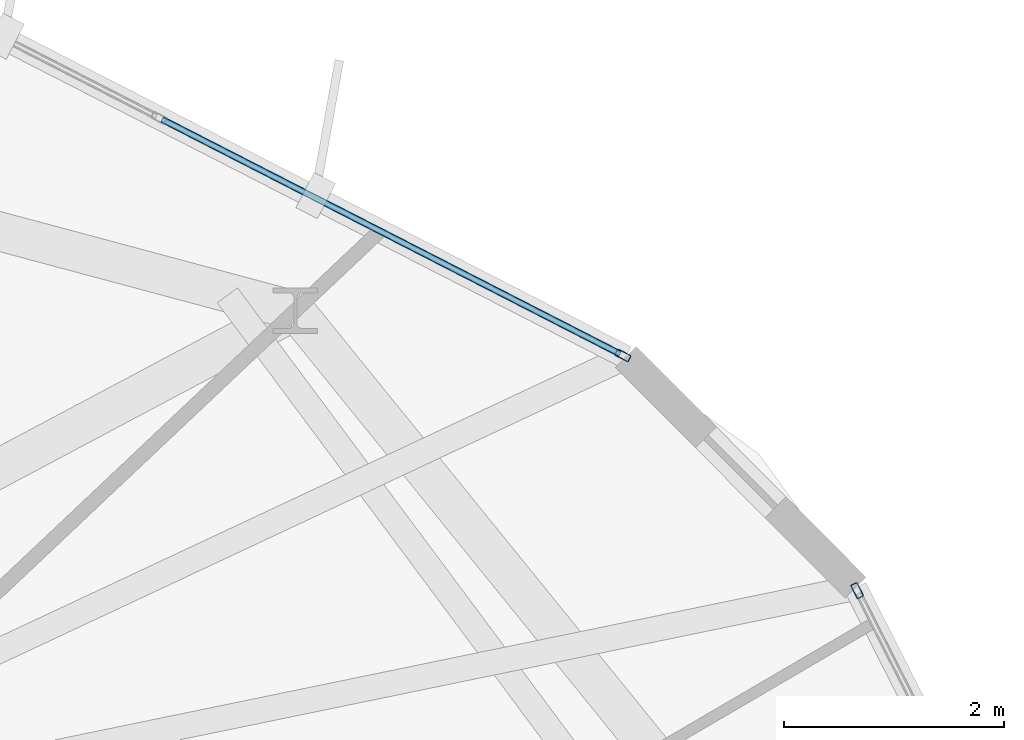
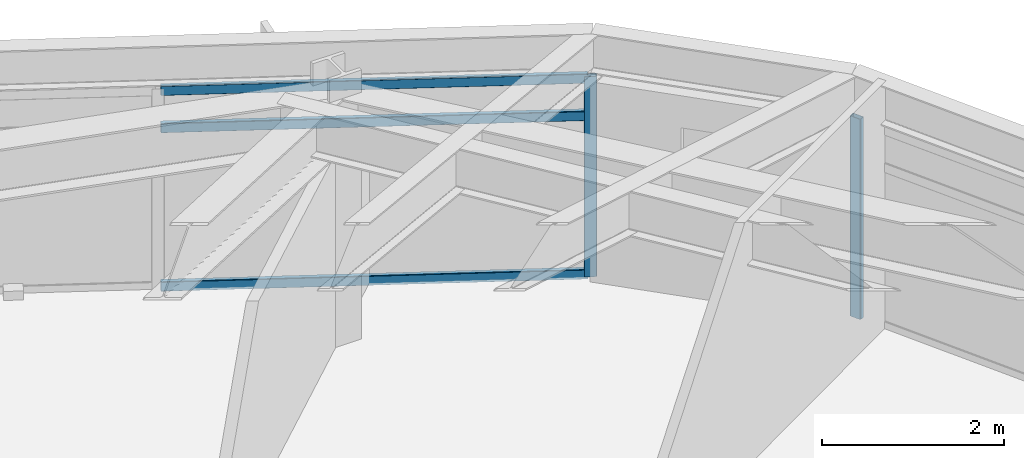
# One storey, part 19 of 27: 5 members, 2 elements without a shape of their own.
"""IFC4 building model written with IfcOpenShell, lengths in metres."""

import ifcopenshell
import ifcopenshell.guid

model = None  # the IFC model being written
_history = None  # IfcOwnerHistory: only IFC2X3 demands one
_inside = {}  # id of a spatial element -> (the spatial element, [elements in it])
_under = {}  # id of a project, library or spatial element -> (it, [spatial elements below it])
_declared = {}  # id of a project -> (the project, [libraries it declares])
_typed = {}  # id of a type object -> (the type object, [elements of that type])
_made_of = {}  # id of a material, layer set ... -> (it, [elements and type objects made of it])


def new_model(schema):
    """Start an empty IFC model of exactly this schema.

    Asked for "IFC4X3", IfcOpenShell would pick the latest addendum, in which some entities
    have other attributes; the version numbers below select the first issue.
    IFC2X3 requires an IfcOwnerHistory on every rooted entity: one is made here for all.
    """
    global model, _history
    if schema == "IFC4X3":
        model = ifcopenshell.file(schema_version=(4, 3, 0, 0))
    else:
        model = ifcopenshell.file(schema=schema)
    _inside.clear()
    _under.clear()
    _declared.clear()
    _typed.clear()
    _made_of.clear()
    _history = None
    if model.schema == "IFC2X3":
        org = make("IfcOrganization", Name="unknown")
        user = make(
            "IfcPersonAndOrganization",
            ThePerson=make("IfcPerson", FamilyName="unknown"),
            TheOrganization=org,
        )
        app = make(
            "IfcApplication",
            ApplicationDeveloper=org,
            Version="unknown",
            ApplicationFullName="unknown",
            ApplicationIdentifier="unknown",
        )
        _history = make(
            "IfcOwnerHistory",
            OwningUser=user,
            OwningApplication=app,
            ChangeAction="ADDED",
            CreationDate=0,
        )
    return model


def make(cls, **values):
    """One entity of the class cls with the attributes given. An attribute that is None is left unset."""
    return model.create_entity(
        cls, **{name: value for name, value in values.items() if value is not None}
    )


def rooted(cls, **values):
    """An entity with a GlobalId (a new one), such as an element, a storey or a relation."""
    return make(cls, GlobalId=ifcopenshell.guid.new(), OwnerHistory=_history, **values)


def si_unit(unit_type, name, prefix=None):
    """IfcSIUnit, for example si_unit("LENGTHUNIT", "METRE", prefix="MILLI")."""
    return make("IfcSIUnit", UnitType=unit_type, Prefix=prefix, Name=name)


def assignment(units):
    """IfcUnitAssignment: the units of a project."""
    return None if units is None else make("IfcUnitAssignment", Units=units)


def point(xyz):
    """IfcCartesianPoint."""
    return None if xyz is None else make("IfcCartesianPoint", Coordinates=xyz)


def direction(xyz):
    """IfcDirection."""
    return None if xyz is None else make("IfcDirection", DirectionRatios=xyz)


def frame(location, z_axis=None, x_axis=None):
    """IfcAxis2Placement3D, a coordinate frame: its origin and axes. An axis left out is left unset."""
    return make(
        "IfcAxis2Placement3D",
        Location=point(location),
        Axis=direction(z_axis),
        RefDirection=direction(x_axis),
    )


def frame_2d(location, x_axis=None):
    """IfcAxis2Placement2D, a coordinate frame in the plane: its origin and x axis."""
    return make(
        "IfcAxis2Placement2D", Location=point(location), RefDirection=direction(x_axis)
    )


def origin():
    """The frame at (0, 0, 0) with its axes left unset."""
    return frame((0.0, 0.0, 0.0))


def origin_2d():
    """The frame at (0, 0) in the plane with its x axis left unset."""
    return frame_2d((0.0, 0.0))


def place(relative_to, where):
    """IfcLocalPlacement: puts the frame where relative to a parent placement (None: the world)."""
    return make(
        "IfcLocalPlacement", PlacementRelTo=relative_to, RelativePlacement=where
    )


def context(
    kind, dimensions, precision=None, world=None, true_north=None, identifier=None
):
    """IfcGeometricRepresentationContext, for example the 3D "Model" context."""
    return make(
        "IfcGeometricRepresentationContext",
        ContextIdentifier=identifier,
        ContextType=kind,
        CoordinateSpaceDimension=dimensions,
        Precision=precision,
        WorldCoordinateSystem=world,
        TrueNorth=true_north,
    )


def subcontext(parent, identifier, kind, view, scale=None):
    """IfcGeometricRepresentationSubContext, for example "Body" below "Model"."""
    return make(
        "IfcGeometricRepresentationSubContext",
        ContextIdentifier=identifier,
        ContextType=kind,
        ParentContext=parent,
        TargetScale=scale,
        TargetView=view,
    )


def project(units=None, contexts=None):
    """IfcProject with its units and contexts."""
    return rooted(
        "IfcProject",
        Name="project",
        RepresentationContexts=contexts,
        UnitsInContext=assignment(units),
    )


def spatial(cls, under=None, at=None, **own):
    """A site, building, storey or space (cls), placed at a placement, below another one or the project."""
    s = rooted(cls, ObjectPlacement=at, **own)
    if under is not None:
        _under.setdefault(under.id(), (under, []))[1].append(s)
    return s


def profile(cls, at=None, kind="AREA", **sizes):
    """A parametric profile (cls). Its sizes go by their IFC names, for example OverallWidth=200.0."""
    return make(cls, ProfileType=kind, Position=at, **sizes)


def hollow_rectangle(**sizes):
    """IfcRectangleHollowProfileDef."""
    return profile("IfcRectangleHollowProfileDef", **sizes)


def extrude(swept, where, along, depth):
    """IfcExtrudedAreaSolid: the profile swept, set in the frame where, extruded along a direction by depth."""
    return make(
        "IfcExtrudedAreaSolid",
        SweptArea=swept,
        Position=where,
        ExtrudedDirection=direction(along),
        Depth=depth,
    )


def shape(context_of_items, identifier, shape_type, items):
    """IfcShapeRepresentation: the items that make up one representation, for example the "Body"."""
    return make(
        "IfcShapeRepresentation",
        ContextOfItems=context_of_items,
        RepresentationIdentifier=identifier,
        RepresentationType=shape_type,
        Items=items,
    )


def material(Name=None, Category=None):
    """IfcMaterial."""
    return make("IfcMaterial", Name=Name, Category=Category)


def layer(
    of_material, thickness, ventilated=None, Name=None, Category=None, Priority=None
):
    """IfcMaterialLayer: one layer of a wall or slab, of a material (None: an air gap)."""
    return make(
        "IfcMaterialLayer",
        Material=of_material,
        LayerThickness=thickness,
        IsVentilated=ventilated,
        Name=Name,
        Category=Category,
        Priority=Priority,
    )


def layer_set(layers, Name=None):
    """IfcMaterialLayerSet."""
    return make("IfcMaterialLayerSet", MaterialLayers=layers, LayerSetName=Name)


def material_profile(
    of_material, cross_section, Name=None, Category=None, Priority=None
):
    """IfcMaterialProfile: a cross section and its material."""
    return make(
        "IfcMaterialProfile",
        Name=Name,
        Material=of_material,
        Profile=cross_section,
        Priority=Priority,
        Category=Category,
    )


def profile_set(profiles, Name=None, composite=None):
    """IfcMaterialProfileSet."""
    return make(
        "IfcMaterialProfileSet",
        Name=Name,
        MaterialProfiles=profiles,
        CompositeProfile=composite,
    )


def made_of(thing, what):
    """Note that an element or type object is made of a material, layer set ...; save() writes the relation."""
    if what is not None:
        _made_of.setdefault(what.id(), (what, []))[1].append(thing)
    return thing


def type_object(cls, material=None, **own):
    """A type object (cls), such as IfcWallType, which elements share."""
    return made_of(rooted(cls, **own), material)


def element(
    cls,
    number,
    at=None,
    inside=None,
    cuts=None,
    type_object=None,
    material=None,
    context=None,
    identifier="Body",
    shape_type=None,
    held_by="IfcProductDefinitionShape",
    body=None,
    shapes=None,
    **own,
):
    """One element of the class cls, such as IfcWall. Its Tag is "e" and its number.

    at: its placement. inside: the storey or other place that contains it. cuts: it is an
    opening in that element (IfcRelVoidsElement). A single representation is given by context,
    identifier, shape_type and body (its items); several are given by shapes. held_by: the class
    of the entity that holds the representations. save() writes the other relations.
    """
    e = rooted(cls, Tag="e%d" % number, ObjectPlacement=at, **own)
    if body is not None:
        shapes = [shape(context, identifier, shape_type, body)]
    if shapes is not None:
        e.Representation = make(held_by, Representations=shapes)
    if inside is not None:
        _inside.setdefault(inside.id(), (inside, []))[1].append(e)
    if cuts is not None:
        rooted(
            "IfcRelVoidsElement", RelatingBuildingElement=cuts, RelatedOpeningElement=e
        )
    if type_object is not None:
        _typed.setdefault(type_object.id(), (type_object, []))[1].append(e)
    return made_of(e, material)


def aggregate(whole, parts):
    """IfcRelAggregates: a whole, such as a stair, and the parts it consists of."""
    return rooted("IfcRelAggregates", RelatingObject=whole, RelatedObjects=parts)


def save(model, path):
    """Write the relations noted so far, then the file.

    IfcRelAggregates (storeys below a building ...), IfcRelContainedInSpatialStructure (elements
    in a storey), IfcRelDefinesByType, IfcRelAssociatesMaterial and IfcRelDeclares: one each for
    every whole, place, type object, material and project.
    """
    for whole, parts in _under.values():
        aggregate(whole, parts)
    for where, things in _inside.values():
        rooted(
            "IfcRelContainedInSpatialStructure",
            RelatedElements=things,
            RelatingStructure=where,
        )
    for kind, things in _typed.values():
        rooted("IfcRelDefinesByType", RelatedObjects=things, RelatingType=kind)
    for what, things in _made_of.values():
        rooted("IfcRelAssociatesMaterial", RelatedObjects=things, RelatingMaterial=what)
    for by, libraries in _declared.values():
        rooted("IfcRelDeclares", RelatingContext=by, RelatedDefinitions=libraries)
    model.write(path)


model = new_model("IFC4")

# Units and contexts
model_context = context("Model", 3, precision=1e-05, world=origin(), true_north=direction((0.0, 1.0)))
body_context = subcontext(model_context, "Body", "Model", "MODEL_VIEW")
ifc_project = project(units=[si_unit("LENGTHUNIT", "METRE"), si_unit("AREAUNIT", "SQUARE_METRE"), si_unit("VOLUMEUNIT", "CUBIC_METRE"), si_unit("PLANEANGLEUNIT", "RADIAN"), si_unit("MASSUNIT", "GRAM", prefix="KILO")], contexts=[model_context])

# Site, building, storey
site_placement = place(None, origin())
site = spatial("IfcSite", under=ifc_project, at=site_placement, CompositionType="ELEMENT")
building_placement = place(site_placement, origin())
building = spatial("IfcBuilding", under=site, at=building_placement, Name="Soratama Intermodal Tower", CompositionType="ELEMENT")
storey_placement = place(building_placement, frame((0.0, 0.0, 197.800048828125)))
storey = spatial("IfcBuildingStorey", under=building, at=storey_placement, Name="L49", CompositionType="ELEMENT", Elevation=197.800048828125)

# Curtain wall, member
ifc_material_1 = material(Name="Double-glazed aluminium curtain wall", Category="aluminium")
ifc_layer = layer(ifc_material_1, 0.159912109375)
ifc_layer_set = layer_set([ifc_layer], Name="Double-glazed aluminium curtain wall")
curtain_wall_type = type_object("IfcCurtainWallType", Name="CW-SYS-5", PredefinedType="NOTDEFINED", material=ifc_layer_set)
curtain_wall_1_placement = place(storey_placement, origin())
curtain_wall_1 = element("IfcCurtainWall", 1, at=curtain_wall_1_placement, inside=storey, type_object=curtain_wall_type, Name="L49 Faceted Curtain Wall F01", PredefinedType="NOTDEFINED")
ifc_material_2 = material(Name="Anodised aluminium AA 6063-T6", Category="aluminium")
ifc_material_profile_1 = material_profile(ifc_material_2, hollow_rectangle(XDim=0.06494140625, YDim=0.139892578125, WallThickness=0.0048828125, InnerFilletRadius=0.0048828125, OuterFilletRadius=0.010009765625, at=origin_2d()), Name="CWM140X65X5")
ifc_profile_set_1 = profile_set([ifc_material_profile_1], Name="Anodised aluminium AA 6063-T6")
member_type_1 = type_object("IfcMemberType", Name="MT-CWM-5", PredefinedType="MULLION", material=ifc_profile_set_1)
member_1_placement = place(storey_placement, frame((58.11328125, 40.192138671875, 0.0), z_axis=(0.0, 0.0, 1.0), x_axis=(-0.455860497554, -0.890051238283, 0.0)))
member_1 = element("IfcMember", 2, at=member_1_placement, type_object=member_type_1, Name="CW-5 mullion 1", PredefinedType="MULLION", context=body_context, shape_type="SweptSolid", body=[
    extrude(hollow_rectangle(XDim=0.06494140625, YDim=0.139892578125, WallThickness=0.0048828125, InnerFilletRadius=0.0048828125, OuterFilletRadius=0.010009765625, at=origin_2d()), origin(), (0.0, 0.0, 1.0), 2.678955078125),
])

curtain_wall_2_placement = place(storey_placement, origin())
curtain_wall_2 = element("IfcCurtainWall", 3, at=curtain_wall_2_placement, inside=storey, type_object=curtain_wall_type, Name="L49 Faceted Curtain Wall F10", PredefinedType="NOTDEFINED")
member_2_placement = place(storey_placement, frame((60.2470703125, 38.049560546875, 0.0), z_axis=(0.0, 0.0, 1.0), x_axis=(-0.891957765686, -0.452118728027, 0.0)))
member_2 = element("IfcMember", 4, at=member_2_placement, type_object=member_type_1, Name="CW-5 mullion 3", PredefinedType="MULLION", context=body_context, shape_type="SweptSolid", body=[
    extrude(hollow_rectangle(XDim=0.06494140625, YDim=0.139892578125, WallThickness=0.0048828125, InnerFilletRadius=0.0048828125, OuterFilletRadius=0.010009765625, at=origin_2d()), origin(), (0.0, 0.0, 1.0), 2.678955078125),
])
aggregate(curtain_wall_2, [member_2])

# Member
ifc_material_3 = material(Name="Anodised aluminium AA 6063-T6", Category="aluminium")
ifc_material_profile_2 = material_profile(ifc_material_3, hollow_rectangle(XDim=0.06005859375, YDim=0.1298828125, WallThickness=0.0048828125, InnerFilletRadius=0.0048828125, OuterFilletRadius=0.010009765625, at=origin_2d()), Name="CWT130X60X5")
ifc_profile_set_2 = profile_set([ifc_material_profile_2], Name="Anodised aluminium AA 6063-T6")
member_type_2 = type_object("IfcMemberType", Name="TT-CWT-2", PredefinedType="USERDEFINED", material=ifc_profile_set_2)
member_3_placement = place(storey_placement, frame((58.086669921875, 40.205810546875, 0.030029296875), z_axis=(-0.890050582917, 0.455861777132, 0.0), x_axis=(-0.455861777132, -0.890050582917, 0.0)))
member_3 = element("IfcMember", 5, at=member_3_placement, type_object=member_type_2, Name="CW-5 transom 1.1", ObjectType="TRANSOM", PredefinedType="USERDEFINED", context=body_context, shape_type="SweptSolid", body=[
    extrude(hollow_rectangle(XDim=0.06005859375, YDim=0.1298828125, WallThickness=0.0048828125, InnerFilletRadius=0.0048828125, OuterFilletRadius=0.010009765625, at=origin_2d()), origin(), (0.0, 0.0, 1.0), 4.68603515625),
])

member_4_placement = place(storey_placement, frame((58.086669921875, 40.205810546875, 2.14990234375), z_axis=(-0.890050582917, 0.455861777132, 0.0), x_axis=(-0.455861777132, -0.890050582917, 0.0)))
member_4 = element("IfcMember", 6, at=member_4_placement, type_object=member_type_2, Name="CW-5 transom 1.2", ObjectType="TRANSOM", PredefinedType="USERDEFINED", context=body_context, shape_type="SweptSolid", body=[
    extrude(hollow_rectangle(XDim=0.06005859375, YDim=0.1298828125, WallThickness=0.0048828125, InnerFilletRadius=0.0048828125, OuterFilletRadius=0.010009765625, at=origin_2d()), origin(), (0.0, 0.0, 1.0), 4.68603515625),
])

member_5_placement = place(storey_placement, frame((58.086669921875, 40.205810546875, 2.64892578125), z_axis=(-0.890050582917, 0.455861777132, 0.0), x_axis=(-0.455861777132, -0.890050582917, 0.0)))
member_5 = element("IfcMember", 7, at=member_5_placement, type_object=member_type_2, Name="CW-5 transom 1.3", ObjectType="TRANSOM", PredefinedType="USERDEFINED", context=body_context, shape_type="SweptSolid", body=[
    extrude(hollow_rectangle(XDim=0.06005859375, YDim=0.1298828125, WallThickness=0.0048828125, InnerFilletRadius=0.0048828125, OuterFilletRadius=0.010009765625, at=origin_2d()), origin(), (0.0, 0.0, 1.0), 4.68603515625),
])

aggregate(curtain_wall_1, [member_1, member_3, member_4, member_5])

save(model, "model.ifc")
